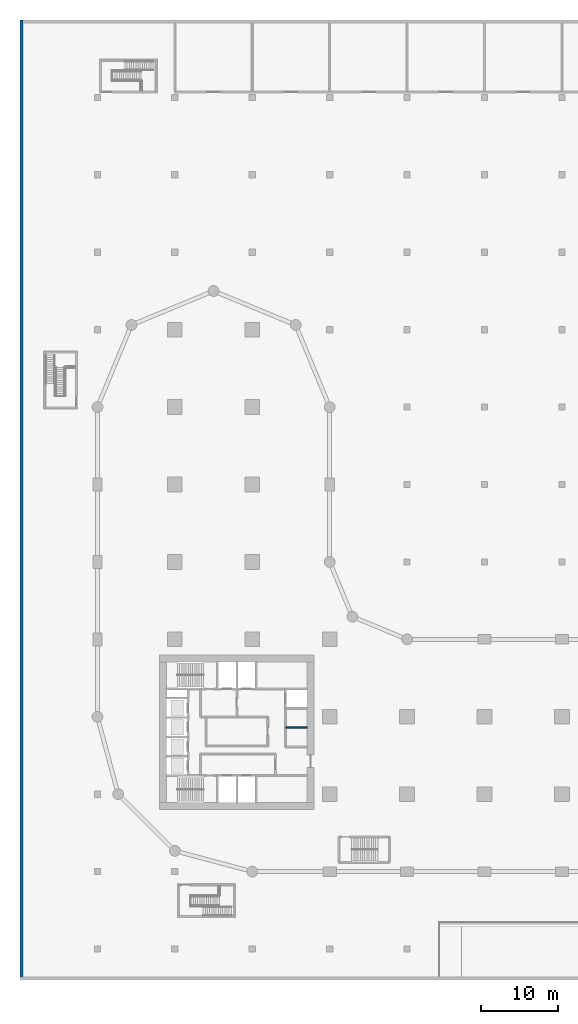
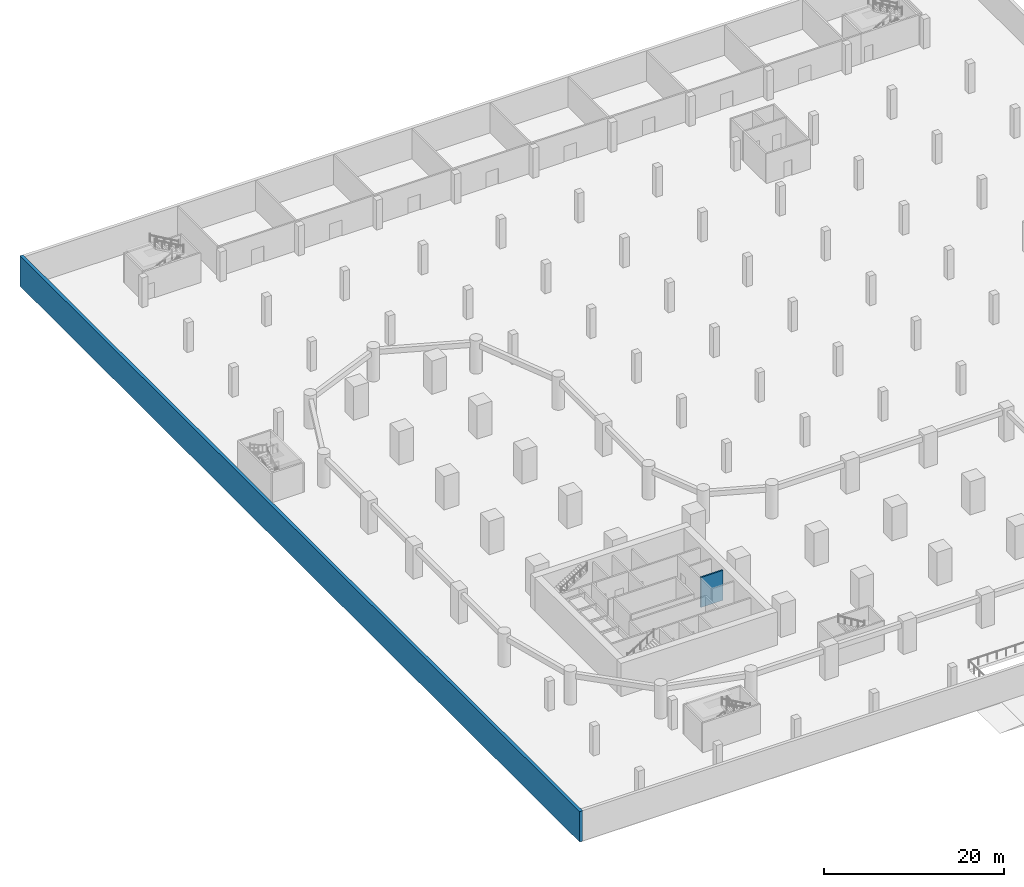
# One storey, part 6 of 19: 2 walls.
"""IFC4 building model written with IfcOpenShell, lengths in metres."""

from ifc_helpers import new_model, si_unit, direction, frame, frame_2d, origin, place, context, subcontext, project, spatial, rectangle, extrude, material, layer, layer_set, type_object, element, save


model = new_model("IFC4")

# Units and contexts
model_context = context("Model", 3, precision=1e-05, world=origin(), true_north=direction((0.0, 1.0)))
body_context = subcontext(model_context, "Body", "Model", "MODEL_VIEW")
ifc_project = project(units=[si_unit("LENGTHUNIT", "METRE"), si_unit("AREAUNIT", "SQUARE_METRE"), si_unit("VOLUMEUNIT", "CUBIC_METRE"), si_unit("PLANEANGLEUNIT", "RADIAN"), si_unit("MASSUNIT", "GRAM", prefix="KILO")], contexts=[model_context])

# Site, building, storey
site_placement = place(None, origin())
site = spatial("IfcSite", under=ifc_project, at=site_placement, CompositionType="ELEMENT")
building_placement = place(site_placement, origin())
building = spatial("IfcBuilding", under=site, at=building_placement, Name="Qaws Garden Tower", CompositionType="ELEMENT")
storey_placement = place(building_placement, frame((0.0, 0.0, -4.5)))
storey = spatial("IfcBuildingStorey", under=building, at=storey_placement, Name="B1", CompositionType="ELEMENT", Elevation=-4.5)

# Walls
ifc_material_1 = material(Name="Concrete C80", Category="concrete")
ifc_layer_1 = layer(ifc_material_1, 0.199951171875)
ifc_layer_set_1 = layer_set([ifc_layer_1], Name="Concrete C80")
wall_type_1 = type_object("IfcWallType", Name="Core shaft wall 200 C80", PredefinedType="SHEAR", material=ifc_layer_set_1)
wall_1_placement = place(storey_placement, frame((24.300048828125, 18.60009765625, 0.0), z_axis=(0.0, 0.0, 1.0), x_axis=(1.0, 0.0, 0.0)))
element("IfcWall", 1, at=wall_1_placement, inside=storey, type_object=wall_type_1, Name="Shaft wall", PredefinedType="SHEAR", context=body_context, shape_type="SweptSolid", body=[
    extrude(rectangle(XDim=2.800048828125, YDim=0.199951171875, at=frame_2d((1.39990234375, 0.0))), origin(), (0.0, 0.0, 1.0), 4.050048828125),
])
ifc_material_2 = material(Name="Concrete C45", Category="concrete")
ifc_layer_2 = layer(ifc_material_2, 0.39990234375)
ifc_layer_set_2 = layer_set([ifc_layer_2], Name="Concrete C45")
wall_type_2 = type_object("IfcWallType", Name="Retaining wall 400", PredefinedType="SOLIDWALL", material=ifc_layer_set_2)
wall_2_placement = place(storey_placement, frame((-9.800048828125, 110.0, 0.0), z_axis=(0.0, 0.0, 1.0), x_axis=(0.0, -1.0, 0.0)))
element("IfcWall", 2, at=wall_2_placement, inside=storey, type_object=wall_type_2, Name="Retaining wall W B1", PredefinedType="SOLIDWALL", context=body_context, shape_type="SweptSolid", body=[
    extrude(rectangle(XDim=124.0, YDim=0.39990234375, at=frame_2d((62.0, 0.0))), origin(), (0.0, 0.0, 1.0), 4.10009765625),
])

save(model, "model.ifc")
